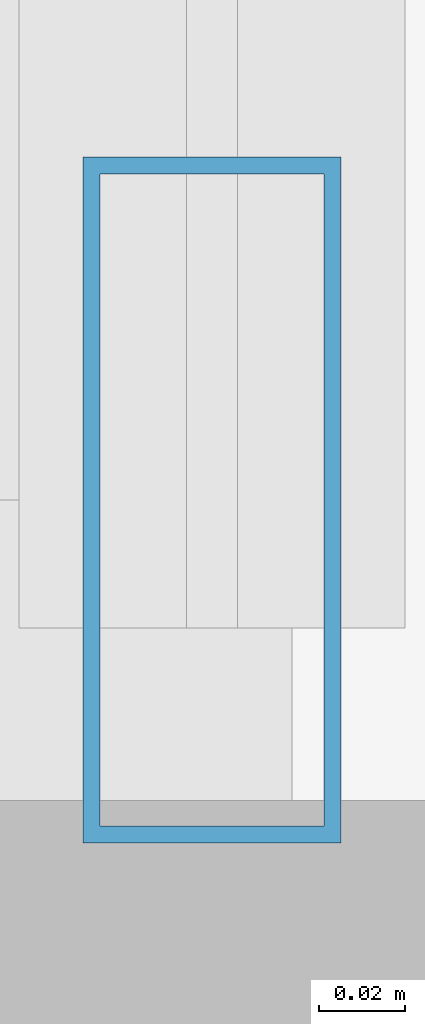
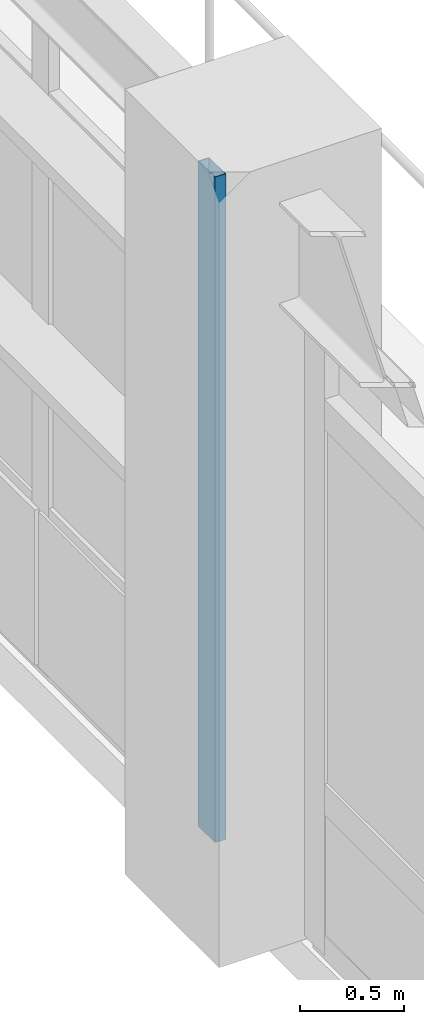
# One storey, part 94 of 168: 1 member, 1 element without a shape of its own.
"""IFC4 building model written with IfcOpenShell, lengths in metres."""

from ifc_helpers import new_model, si_unit, direction, frame, origin, origin_2d, place, context, subcontext, project, spatial, hollow_rectangle, extrude, material, material_profile, profile_set, type_object, element, aggregate, save


model = new_model("IFC4")

# Units and contexts
model_context = context("Model", 3, precision=1e-05, world=origin(), true_north=direction((0.0, 1.0)))
body_context = subcontext(model_context, "Body", "Model", "MODEL_VIEW")
ifc_project = project(units=[si_unit("LENGTHUNIT", "METRE"), si_unit("AREAUNIT", "SQUARE_METRE"), si_unit("VOLUMEUNIT", "CUBIC_METRE"), si_unit("PLANEANGLEUNIT", "RADIAN"), si_unit("MASSUNIT", "GRAM", prefix="KILO"), si_unit("THERMODYNAMICTEMPERATUREUNIT", "KELVIN"), si_unit("POWERUNIT", "WATT")], contexts=[model_context])

# Site, building, storey
site_placement = place(None, origin())
site = spatial("IfcSite", under=ifc_project, at=site_placement, CompositionType="ELEMENT")
building_placement = place(site_placement, origin())
building = spatial("IfcBuilding", under=site, at=building_placement, Name="Tepalcoro Natatorium and Aquatics Centre", CompositionType="ELEMENT")
storey_placement = place(building_placement, frame((0.0, 0.0, 10.199951171875)))
storey = spatial("IfcBuildingStorey", under=building, at=storey_placement, Name="L02", CompositionType="ELEMENT", Elevation=10.199951171875)

# Curtain wall, member
ifc_material = material(Name="Bronze-Anodised Extruded Aluminium Alloy EN AW-6063 T6", Category="aluminium")
curtain_wall_type = type_object("IfcCurtainWallType", Name="CW_LEAN_T1_EW", PredefinedType="USERDEFINED", material=ifc_material)
curtain_wall_placement = place(storey_placement, origin())
curtain_wall = element("IfcCurtainWall", 1, at=curtain_wall_placement, inside=storey, type_object=curtain_wall_type, Name="V2 L02 W Unitised Curtain Wall Bay 3", ObjectType="FACETED SOLAR GLAZING", PredefinedType="USERDEFINED")
ifc_material_profile = material_profile(ifc_material, hollow_rectangle(XDim=0.06005859375, YDim=0.159912109375, WallThickness=0.00390625, at=origin_2d()), Name="AL60X160X4")
ifc_profile_set = profile_set([ifc_material_profile], Name="Bronze-Anodised Extruded Aluminium Alloy EN AW-6063 T6")
member_type = type_object("IfcMemberType", Name="CW_MUL_60x160", PredefinedType="MULLION", material=ifc_profile_set)
member_placement = place(storey_placement, frame((142.0712890625, 21.02001953125, 0.02001953125), z_axis=(0.0, 0.0, 1.0), x_axis=(1.0, 0.0, 0.0)))
member = element("IfcMember", 2, at=member_placement, type_object=member_type, Name="CW_LEAN_T1_EW Curtain Wall Mullion", PredefinedType="MULLION", context=body_context, shape_type="SweptSolid", body=[
    extrude(hollow_rectangle(XDim=0.06005859375, YDim=0.159912109375, WallThickness=0.00390625, at=origin_2d()), origin(), (0.0, 0.0, 1.0), 3.89697265625),
])
aggregate(curtain_wall, [member])

save(model, "model.ifc")
